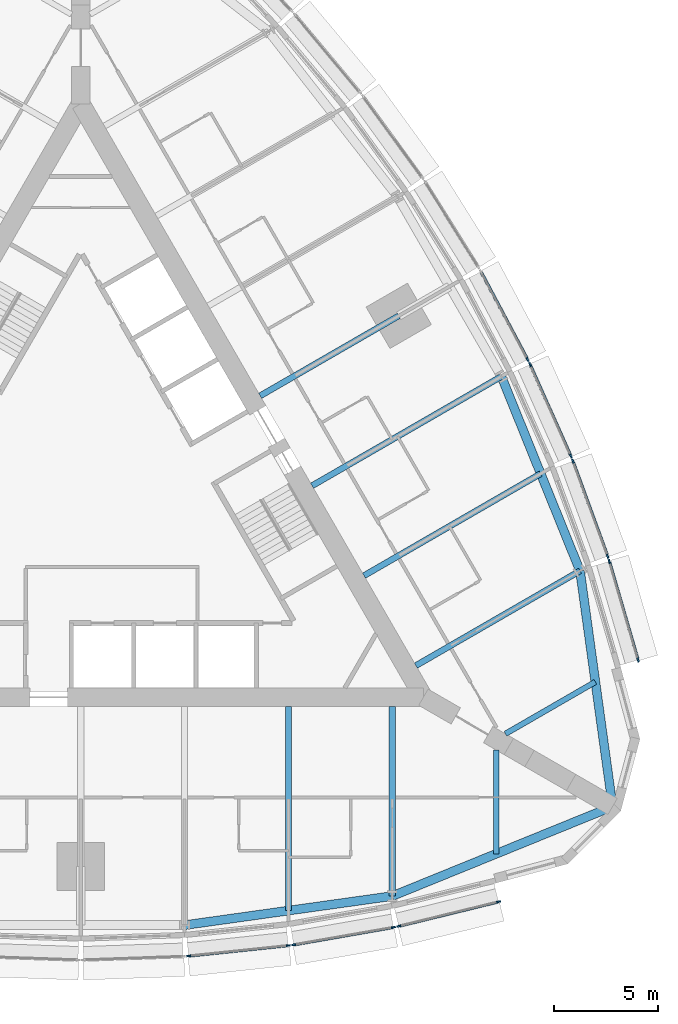
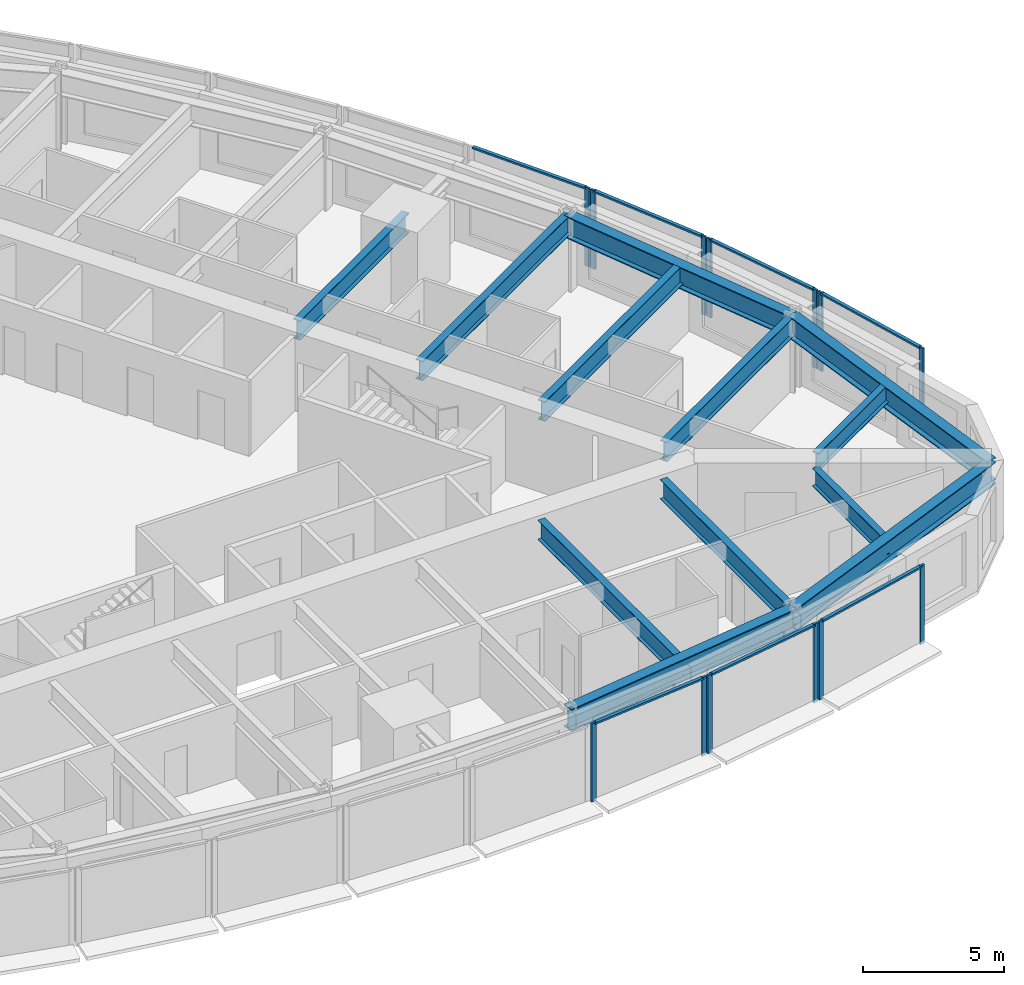
# One storey, part 3 of 14: 20 members, 12 beams, 7 elements without a shape of their own.
"""IFC4 building model written with IfcOpenShell, lengths in metres."""

from ifc_helpers import new_model, si_unit, direction, frame, origin, origin_2d, place, context, subcontext, project, spatial, rectangle, i_section, extrude, material, material_profile, profile_set, type_object, element, aggregate, save


model = new_model("IFC4")

# Units and contexts
model_context = context("Model", 3, precision=1e-05, world=origin(), true_north=direction((0.0, 1.0)))
body_context = subcontext(model_context, "Body", "Model", "MODEL_VIEW")
ifc_project = project(units=[si_unit("LENGTHUNIT", "METRE"), si_unit("AREAUNIT", "SQUARE_METRE"), si_unit("VOLUMEUNIT", "CUBIC_METRE"), si_unit("PLANEANGLEUNIT", "RADIAN"), si_unit("MASSUNIT", "GRAM", prefix="KILO")], contexts=[model_context])

# Site, building, storey
site_placement = place(None, origin())
site = spatial("IfcSite", under=ifc_project, at=site_placement, CompositionType="ELEMENT")
building_placement = place(site_placement, origin())
building = spatial("IfcBuilding", under=site, at=building_placement, Name="Trikona Tower", CompositionType="ELEMENT")
storey_placement = place(building_placement, frame((0.0, 0.0, 135.10009765625)))
storey = spatial("IfcBuildingStorey", under=building, at=storey_placement, Name="L35", CompositionType="ELEMENT", Elevation=135.10009765625)

# Curtain wall, members
ifc_material_1 = material(Name="Aluminium curtain wall system", Category="aluminium")
curtain_wall_type = type_object("IfcCurtainWallType", Name="Curtain wall DS2", PredefinedType="NOTDEFINED", material=ifc_material_1)
curtain_wall_1_placement = place(storey_placement, origin())
curtain_wall_1 = element("IfcCurtainWall", 1, at=curtain_wall_1_placement, inside=storey, type_object=curtain_wall_type, Name="Curtain wall DS2 L35", PredefinedType="NOTDEFINED")
ifc_material_2 = material(Name="Aluminium mullion, pale anodised", Category="aluminium")
ifc_material_profile_1 = material_profile(ifc_material_2, rectangle(XDim=0.080078125, YDim=0.199951171875, at=origin_2d()), Name="MUL-DS2")
ifc_profile_set_1 = profile_set([ifc_material_profile_1], Name="Aluminium mullion, pale anodised")
member_type_1 = type_object("IfcMemberType", Name="Mullion DS2 80x200", PredefinedType="MULLION", material=ifc_profile_set_1)
member_1_placement = place(storey_placement, frame((5.193359375, -21.98486328125, 0.0), z_axis=(0.0, 0.0, 1.0), x_axis=(-0.104433387357, 0.994531883654, 0.0)))
member_1 = element("IfcMember", 2, at=member_1_placement, type_object=member_type_1, Name="CW-DS2 mullion 1", PredefinedType="MULLION", context=body_context, shape_type="SweptSolid", body=[
    extrude(rectangle(XDim=0.080078125, YDim=0.199951171875, at=origin_2d()), origin(), (0.0, 0.0, 1.0), 3.39990234375),
])
member_2_placement = place(storey_placement, frame((9.99462890625, -21.480712890625, 0.0), z_axis=(0.0, 0.0, 1.0), x_axis=(-0.104433387357, 0.994531883654, 0.0)))
member_2 = element("IfcMember", 3, at=member_2_placement, type_object=member_type_1, Name="CW-DS2 mullion 2", PredefinedType="MULLION", context=body_context, shape_type="SweptSolid", body=[
    extrude(rectangle(XDim=0.080078125, YDim=0.199951171875, at=origin_2d()), origin(), (0.0, 0.0, 1.0), 3.39990234375),
])

curtain_wall_2_placement = place(storey_placement, origin())
curtain_wall_2 = element("IfcCurtainWall", 4, at=curtain_wall_2_placement, inside=storey, type_object=curtain_wall_type, Name="Curtain wall DS2 L35", PredefinedType="NOTDEFINED")
member_3_placement = place(storey_placement, frame((10.253662109375, -21.444580078125, 0.0), z_axis=(0.0, 0.0, 1.0), x_axis=(-0.17237739505, 0.985030981074, 0.0)))
member_3 = element("IfcMember", 5, at=member_3_placement, type_object=member_type_1, Name="CW-DS2 mullion 1", PredefinedType="MULLION", context=body_context, shape_type="SweptSolid", body=[
    extrude(rectangle(XDim=0.080078125, YDim=0.199951171875, at=origin_2d()), origin(), (0.0, 0.0, 1.0), 3.39990234375),
])
member_4_placement = place(storey_placement, frame((15.056640625, -20.60400390625, 0.0), z_axis=(0.0, 0.0, 1.0), x_axis=(-0.17237739505, 0.985030981074, 0.0)))
member_4 = element("IfcMember", 6, at=member_4_placement, type_object=member_type_1, Name="CW-DS2 mullion 2", PredefinedType="MULLION", context=body_context, shape_type="SweptSolid", body=[
    extrude(rectangle(XDim=0.080078125, YDim=0.199951171875, at=origin_2d()), origin(), (0.0, 0.0, 1.0), 3.39990234375),
])

curtain_wall_3_placement = place(storey_placement, origin())
curtain_wall_3 = element("IfcCurtainWall", 7, at=curtain_wall_3_placement, inside=storey, type_object=curtain_wall_type, Name="Curtain wall DS2 L35", PredefinedType="NOTDEFINED")
member_5_placement = place(storey_placement, frame((15.311279296875, -20.550537109375, 0.0), z_axis=(0.0, 0.0, 1.0), x_axis=(-0.237970204243, 0.971272455026, 0.0)))
member_5 = element("IfcMember", 8, at=member_5_placement, type_object=member_type_1, Name="CW-DS2 mullion 1", PredefinedType="MULLION", context=body_context, shape_type="SweptSolid", body=[
    extrude(rectangle(XDim=0.080078125, YDim=0.199951171875, at=origin_2d()), origin(), (0.0, 0.0, 1.0), 3.39990234375),
])
member_6_placement = place(storey_placement, frame((20.116943359375, -19.373046875, 0.0), z_axis=(0.0, 0.0, 1.0), x_axis=(-0.237970204243, 0.971272455026, 0.0)))
member_6 = element("IfcMember", 9, at=member_6_placement, type_object=member_type_1, Name="CW-DS2 mullion 2", PredefinedType="MULLION", context=body_context, shape_type="SweptSolid", body=[
    extrude(rectangle(XDim=0.080078125, YDim=0.199951171875, at=origin_2d()), origin(), (0.0, 0.0, 1.0), 3.39990234375),
])

curtain_wall_4_placement = place(storey_placement, origin())
curtain_wall_4 = element("IfcCurtainWall", 10, at=curtain_wall_4_placement, inside=storey, type_object=curtain_wall_type, Name="Curtain wall DS2 L35", PredefinedType="NOTDEFINED")
member_7_placement = place(storey_placement, frame((26.836181640625, -7.7353515625, 0.0), z_axis=(0.0, 0.0, 1.0), x_axis=(-0.96013310152, -0.279543247757, 0.0)))
member_7 = element("IfcMember", 11, at=member_7_placement, type_object=member_type_1, Name="CW-DS2 mullion 1", PredefinedType="MULLION", context=body_context, shape_type="SweptSolid", body=[
    extrude(rectangle(XDim=0.080078125, YDim=0.199951171875, at=origin_2d()), origin(), (0.0, 0.0, 1.0), 3.39990234375),
])
member_8_placement = place(storey_placement, frame((25.452880859375, -2.984619140625, 0.0), z_axis=(0.0, 0.0, 1.0), x_axis=(-0.96013310152, -0.279543247757, 0.0)))
member_8 = element("IfcMember", 12, at=member_8_placement, type_object=member_type_1, Name="CW-DS2 mullion 2", PredefinedType="MULLION", context=body_context, shape_type="SweptSolid", body=[
    extrude(rectangle(XDim=0.080078125, YDim=0.199951171875, at=origin_2d()), origin(), (0.0, 0.0, 1.0), 3.39990234375),
])

curtain_wall_5_placement = place(storey_placement, origin())
curtain_wall_5 = element("IfcCurtainWall", 13, at=curtain_wall_5_placement, inside=storey, type_object=curtain_wall_type, Name="Curtain wall DS2 L35", PredefinedType="NOTDEFINED")
member_9_placement = place(storey_placement, frame((25.371826171875, -2.737548828125, 0.0), z_axis=(0.0, 0.0, 1.0), x_axis=(-0.939253790978, -0.343223420143, 0.0)))
member_9 = element("IfcMember", 14, at=member_9_placement, type_object=member_type_1, Name="CW-DS2 mullion 1", PredefinedType="MULLION", context=body_context, shape_type="SweptSolid", body=[
    extrude(rectangle(XDim=0.080078125, YDim=0.199951171875, at=origin_2d()), origin(), (0.0, 0.0, 1.0), 3.39990234375),
])
member_10_placement = place(storey_placement, frame((23.6982421875, 1.84228515625, 0.0), z_axis=(0.0, 0.0, 1.0), x_axis=(-0.939253790978, -0.343223420143, 0.0)))
member_10 = element("IfcMember", 15, at=member_10_placement, type_object=member_type_1, Name="CW-DS2 mullion 2", PredefinedType="MULLION", context=body_context, shape_type="SweptSolid", body=[
    extrude(rectangle(XDim=0.080078125, YDim=0.199951171875, at=origin_2d()), origin(), (0.0, 0.0, 1.0), 3.39990234375),
])

curtain_wall_6_placement = place(storey_placement, origin())
curtain_wall_6 = element("IfcCurtainWall", 16, at=curtain_wall_6_placement, inside=storey, type_object=curtain_wall_type, Name="Curtain wall DS2 L35", PredefinedType="NOTDEFINED")
member_11_placement = place(storey_placement, frame((23.60009765625, 2.0849609375, 0.0), z_axis=(0.0, 0.0, 1.0), x_axis=(-0.913501208767, -0.406836013132, 0.0)))
member_11 = element("IfcMember", 17, at=member_11_placement, type_object=member_type_1, Name="CW-DS2 mullion 1", PredefinedType="MULLION", context=body_context, shape_type="SweptSolid", body=[
    extrude(rectangle(XDim=0.080078125, YDim=0.199951171875, at=origin_2d()), origin(), (0.0, 0.0, 1.0), 3.39990234375),
])
member_12_placement = place(storey_placement, frame((21.63623046875, 6.494873046875, 0.0), z_axis=(0.0, 0.0, 1.0), x_axis=(-0.913501208767, -0.406836013132, 0.0)))
member_12 = element("IfcMember", 18, at=member_12_placement, type_object=member_type_1, Name="CW-DS2 mullion 2", PredefinedType="MULLION", context=body_context, shape_type="SweptSolid", body=[
    extrude(rectangle(XDim=0.080078125, YDim=0.199951171875, at=origin_2d()), origin(), (0.0, 0.0, 1.0), 3.39990234375),
])

# Curtain wall, member
curtain_wall_7_placement = place(storey_placement, origin())
curtain_wall_7 = element("IfcCurtainWall", 19, at=curtain_wall_7_placement, inside=storey, type_object=curtain_wall_type, Name="Curtain wall DS2 L35", PredefinedType="NOTDEFINED")
member_13_placement = place(storey_placement, frame((21.52099609375, 6.730712890625, 0.0), z_axis=(0.0, 0.0, 1.0), x_axis=(-0.882996107343, -0.469380308937, 0.0)))
member_13 = element("IfcMember", 20, at=member_13_placement, type_object=member_type_1, Name="CW-DS2 mullion 1", PredefinedType="MULLION", context=body_context, shape_type="SweptSolid", body=[
    extrude(rectangle(XDim=0.080078125, YDim=0.199951171875, at=origin_2d()), origin(), (0.0, 0.0, 1.0), 3.39990234375),
])

# Beams
ifc_material_3 = material(Name="Steel ASTM A992 Grade 50", Category="steel")
ifc_material_profile_2 = material_profile(ifc_material_3, i_section(OverallWidth=0.2666015625, OverallDepth=0.76953125, WebThickness=0.015625, FlangeThickness=0.025390625, at=origin_2d()), Name="W30X132")
ifc_profile_set_2 = profile_set([ifc_material_profile_2], Name="Steel ASTM A992 Grade 50")
beam_type_1 = type_object("IfcBeamType", Name="Steel beam W30x132 (wedge)", PredefinedType="BEAM", material=ifc_profile_set_2)
beam_1_placement = place(storey_placement, frame((20.0, -12.066650390625, 2.85009765625), z_axis=(0.0, -1.0, 0.0), x_axis=(1.0, 0.0, 0.0)))
element("IfcBeam", 21, at=beam_1_placement, inside=storey, type_object=beam_type_1, Name="Floor beam L36 F1 u20", PredefinedType="BEAM", context=body_context, shape_type="SweptSolid", body=[
    extrude(i_section(OverallWidth=0.2666015625, OverallDepth=0.76953125, WebThickness=0.015625, FlangeThickness=0.025390625, at=origin_2d()), origin(), (0.0, 0.0, 1.0), 5.00048828125),
])
beam_2_placement = place(storey_placement, frame((20.449951171875, -11.287109375, 2.85009765625), z_axis=(0.866038434829, 0.49997742889, 0.0), x_axis=(-0.49997742889, 0.866038434829, 0.0)))
element("IfcBeam", 22, at=beam_2_placement, inside=storey, type_object=beam_type_1, Name="Floor beam L36 F2 u-20", PredefinedType="BEAM", context=body_context, shape_type="SweptSolid", body=[
    extrude(i_section(OverallWidth=0.2666015625, OverallDepth=0.76953125, WebThickness=0.015625, FlangeThickness=0.025390625, at=origin_2d()), origin(), (0.0, 0.0, 1.0), 5.000732421875),
])
ifc_material_4 = material(Name="Steel ASTM A992 Grade 50", Category="steel")
ifc_material_profile_3 = material_profile(ifc_material_4, i_section(OverallWidth=0.2919921875, OverallDepth=0.845703125, WebThickness=0.015380859375, FlangeThickness=0.0244140625, at=origin_2d()), Name="W33X141")
ifc_profile_set_3 = profile_set([ifc_material_profile_3], Name="Steel ASTM A992 Grade 50")
beam_type_2 = type_object("IfcBeamType", Name="Steel beam W33x141 (radial typ)", PredefinedType="BEAM", material=ifc_profile_set_3)
beam_3_placement = place(storey_placement, frame((10.0, -9.976318359375, 2.81201171875), z_axis=(0.0, -1.0, 0.0), x_axis=(1.0, 0.0, 0.0)))
element("IfcBeam", 23, at=beam_3_placement, inside=storey, type_object=beam_type_2, Name="Floor beam L36 F1 u10", PredefinedType="BEAM", context=body_context, shape_type="SweptSolid", body=[
    extrude(i_section(OverallWidth=0.2919921875, OverallDepth=0.845703125, WebThickness=0.015380859375, FlangeThickness=0.0244140625, at=origin_2d()), origin(), (0.0, 0.0, 1.0), 9.823974609375),
])
beam_4_placement = place(storey_placement, frame((15.0, -9.976318359375, 2.81201171875), z_axis=(0.0, -1.0, 0.0), x_axis=(1.0, 0.0, 0.0)))
element("IfcBeam", 24, at=beam_4_placement, inside=storey, type_object=beam_type_2, Name="Floor beam L36 F1 u15", PredefinedType="BEAM", context=body_context, shape_type="SweptSolid", body=[
    extrude(i_section(OverallWidth=0.2919921875, OverallDepth=0.845703125, WebThickness=0.015380859375, FlangeThickness=0.0244140625, at=origin_2d()), origin(), (0.0, 0.0, 1.0), 9.123779296875),
])
beam_5_placement = place(storey_placement, frame((16.1396484375, -8.002197265625, 2.81201171875), z_axis=(0.866024725532, 0.500001174766, 0.0), x_axis=(-0.500001174766, 0.866024725532, 0.0)))
element("IfcBeam", 25, at=beam_5_placement, inside=storey, type_object=beam_type_2, Name="Floor beam L36 F2 u-15", PredefinedType="BEAM", context=body_context, shape_type="SweptSolid", body=[
    extrude(i_section(OverallWidth=0.2919921875, OverallDepth=0.845703125, WebThickness=0.015380859375, FlangeThickness=0.0244140625, at=origin_2d()), origin(), (0.0, 0.0, 1.0), 9.1240234375),
])
beam_6_placement = place(storey_placement, frame((13.6396484375, -3.672119140625, 2.81201171875), z_axis=(0.866020046725, 0.500009278584, 0.0), x_axis=(-0.500009278584, 0.866020046725, 0.0)))
element("IfcBeam", 26, at=beam_6_placement, inside=storey, type_object=beam_type_2, Name="Floor beam L36 F2 u-10", PredefinedType="BEAM", context=body_context, shape_type="SweptSolid", body=[
    extrude(i_section(OverallWidth=0.2919921875, OverallDepth=0.845703125, WebThickness=0.015380859375, FlangeThickness=0.0244140625, at=origin_2d()), origin(), (0.0, 0.0, 1.0), 9.823974609375),
])
beam_7_placement = place(storey_placement, frame((11.1396484375, 0.657958984375, 2.81201171875), z_axis=(0.866026035623, 0.499998905622, 0.0), x_axis=(-0.499998905622, 0.866026035623, 0.0)))
element("IfcBeam", 27, at=beam_7_placement, inside=storey, type_object=beam_type_2, Name="Floor beam L36 F2 u-5", PredefinedType="BEAM", context=body_context, shape_type="SweptSolid", body=[
    extrude(i_section(OverallWidth=0.2919921875, OverallDepth=0.845703125, WebThickness=0.015380859375, FlangeThickness=0.0244140625, at=origin_2d()), origin(), (0.0, 0.0, 1.0), 10.52392578125),
])
beam_8_placement = place(storey_placement, frame((8.6396484375, 4.988037109375, 2.81201171875), z_axis=(0.866017246294, 0.500014128921, 0.0), x_axis=(-0.500014128921, 0.866017246294, 0.0)))
element("IfcBeam", 28, at=beam_8_placement, inside=storey, type_object=beam_type_2, Name="Floor beam L36 F2 u0", PredefinedType="BEAM", context=body_context, shape_type="SweptSolid", body=[
    extrude(i_section(OverallWidth=0.2919921875, OverallDepth=0.845703125, WebThickness=0.015380859375, FlangeThickness=0.0244140625, at=origin_2d()), origin(), (0.0, 0.0, 1.0), 7.704345703125),
])
ifc_material_5 = material(Name="Steel ASTM A992 Grade 50", Category="steel")
ifc_material_profile_4 = material_profile(ifc_material_5, i_section(OverallWidth=0.424072265625, OverallDepth=0.947509765625, WebThickness=0.02392578125, FlangeThickness=0.042724609375, at=origin_2d()), Name="W36X302")
ifc_profile_set_4 = profile_set([ifc_material_profile_4], Name="Steel ASTM A992 Grade 50")
beam_type_3 = type_object("IfcBeamType", Name="Steel beam W36x302 (spandrel)", PredefinedType="SPANDREL", material=ifc_profile_set_4)
beam_9_placement = place(storey_placement, frame((5.0, -20.500244140625, 2.76123046875), z_axis=(0.990339754644, 0.13866207258, 0.0), x_axis=(-0.13866207258, 0.990339754644, 0.0)))
element("IfcBeam", 29, at=beam_9_placement, inside=storey, type_object=beam_type_3, Name="Spandrel beam L36 F1-4", PredefinedType="SPANDREL", context=body_context, shape_type="SweptSolid", body=[
    extrude(i_section(OverallWidth=0.424072265625, OverallDepth=0.947509765625, WebThickness=0.02392578125, FlangeThickness=0.042724609375, at=origin_2d()), origin(), (0.0, 0.0, 1.0), 10.09765625),
])
for number, where, z_axis, x_axis, name in (
    (30, (15.0, -19.10009765625, 2.76123046875), (0.926359695662, 0.376640032728, 0.0), (-0.376640032728, 0.926359695662, 0.0), "Spandrel beam L36 F1-5"),
    (31, (25.6103515625, -14.7861328125, 2.76123046875), (-0.136991535842, 0.990572218017, 0.0), (-0.990572218017, -0.136991535842, 0.0), "Spandrel beam L36 F2-1"),
):
    element("IfcBeam", number, at=place(storey_placement, frame(where, z_axis=z_axis, x_axis=x_axis)), inside=storey, type_object=beam_type_3, Name=name, PredefinedType="SPANDREL", context=body_context, shape_type="SweptSolid", body=[
        extrude(i_section(OverallWidth=0.424072265625, OverallDepth=0.947509765625, WebThickness=0.02392578125, FlangeThickness=0.042724609375, at=origin_2d()), origin(), (0.0, 0.0, 1.0), 11.453857421875),
    ])
beam_10_placement = place(storey_placement, frame((24.041259765625, -3.440185546875, 2.76123046875), z_axis=(-0.375106193787, 0.926981846307, 0.0), x_axis=(-0.926981846307, -0.375106193787, 0.0)))
element("IfcBeam", 32, at=beam_10_placement, inside=storey, type_object=beam_type_3, Name="Spandrel beam L36 F2-2", PredefinedType="SPANDREL", context=body_context, shape_type="SweptSolid", body=[
    extrude(i_section(OverallWidth=0.424072265625, OverallDepth=0.947509765625, WebThickness=0.02392578125, FlangeThickness=0.042724609375, at=origin_2d()), origin(), (0.0, 0.0, 1.0), 10.097412109375),
])

# Member
ifc_material_6 = material(Name="Aluminium transom, pale anodised", Category="aluminium")
ifc_material_profile_5 = material_profile(ifc_material_6, rectangle(XDim=0.139892578125, YDim=0.080078125, at=origin_2d()), Name="TRN-DS2")
ifc_profile_set_5 = profile_set([ifc_material_profile_5], Name="Aluminium transom, pale anodised")
member_type_2 = type_object("IfcMemberType", Name="Transom DS2 80x140", PredefinedType="USERDEFINED", material=ifc_profile_set_5)
member_14_placement = place(storey_placement, frame((5.233154296875, -21.980712890625, 3.35986328125), z_axis=(0.99453106441, 0.104441188822, 0.0), x_axis=(-0.104441188822, 0.99453106441, 0.0)))
member_14 = element("IfcMember", 33, at=member_14_placement, type_object=member_type_2, Name="CW-DS2 transom 1.1", ObjectType="TRANSOM", PredefinedType="USERDEFINED", context=body_context, shape_type="SweptSolid", body=[
    extrude(rectangle(XDim=0.139892578125, YDim=0.080078125, at=origin_2d()), origin(), (0.0, 0.0, 1.0), 4.74755859375),
])

aggregate(curtain_wall_1, [member_1, member_2, member_14])

member_15_placement = place(storey_placement, frame((10.29296875, -21.4375, 3.35986328125), z_axis=(0.98503262804, 0.172367983387, 0.0), x_axis=(-0.172367983387, 0.98503262804, 0.0)))
member_15 = element("IfcMember", 34, at=member_15_placement, type_object=member_type_2, Name="CW-DS2 transom 1.1", ObjectType="TRANSOM", PredefinedType="USERDEFINED", context=body_context, shape_type="SweptSolid", body=[
    extrude(rectangle(XDim=0.139892578125, YDim=0.080078125, at=origin_2d()), origin(), (0.0, 0.0, 1.0), 4.7958984375),
])

aggregate(curtain_wall_2, [member_3, member_4, member_15])

member_16_placement = place(storey_placement, frame((15.35009765625, -20.541015625, 3.35986328125), z_axis=(0.971270583303, 0.237977843528, 0.0), x_axis=(-0.237977843528, 0.971270583303, 0.0)))
member_16 = element("IfcMember", 35, at=member_16_placement, type_object=member_type_2, Name="CW-DS2 transom 1.1", ObjectType="TRANSOM", PredefinedType="USERDEFINED", context=body_context, shape_type="SweptSolid", body=[
    extrude(rectangle(XDim=0.139892578125, YDim=0.080078125, at=origin_2d()), origin(), (0.0, 0.0, 1.0), 4.867919921875),
])

aggregate(curtain_wall_3, [member_5, member_6, member_16])

member_17_placement = place(storey_placement, frame((26.824951171875, -7.69677734375, 3.35986328125), z_axis=(-0.279566628153, 0.960126293996, 0.0), x_axis=(-0.960126293996, -0.279566628153, 0.0)))
member_17 = element("IfcMember", 36, at=member_17_placement, type_object=member_type_2, Name="CW-DS2 transom 1.1", ObjectType="TRANSOM", PredefinedType="USERDEFINED", context=body_context, shape_type="SweptSolid", body=[
    extrude(rectangle(XDim=0.139892578125, YDim=0.080078125, at=origin_2d()), origin(), (0.0, 0.0, 1.0), 4.86767578125),
])

aggregate(curtain_wall_4, [member_7, member_8, member_17])

member_18_placement = place(storey_placement, frame((25.358154296875, -2.699951171875, 3.35986328125), z_axis=(-0.343205907674, 0.939260190223, 0.0), x_axis=(-0.939260190223, -0.343205907674, 0.0)))
member_18 = element("IfcMember", 37, at=member_18_placement, type_object=member_type_2, Name="CW-DS2 transom 1.1", ObjectType="TRANSOM", PredefinedType="USERDEFINED", context=body_context, shape_type="SweptSolid", body=[
    extrude(rectangle(XDim=0.139892578125, YDim=0.080078125, at=origin_2d()), origin(), (0.0, 0.0, 1.0), 4.7958984375),
])

aggregate(curtain_wall_5, [member_9, member_10, member_18])

member_19_placement = place(storey_placement, frame((23.583740234375, 2.12158203125, 3.35986328125), z_axis=(-0.406839769607, 0.913499535778, 0.0), x_axis=(-0.913499535778, -0.406839769607, 0.0)))
member_19 = element("IfcMember", 38, at=member_19_placement, type_object=member_type_2, Name="CW-DS2 transom 1.1", ObjectType="TRANSOM", PredefinedType="USERDEFINED", context=body_context, shape_type="SweptSolid", body=[
    extrude(rectangle(XDim=0.139892578125, YDim=0.080078125, at=origin_2d()), origin(), (0.0, 0.0, 1.0), 4.747314453125),
])

aggregate(curtain_wall_6, [member_11, member_12, member_19])

member_20_placement = place(storey_placement, frame((21.502197265625, 6.76611328125, 3.35986328125), z_axis=(-0.469364343408, 0.883004594063, 0.0), x_axis=(-0.883004594063, -0.469364343408, 0.0)))
member_20 = element("IfcMember", 39, at=member_20_placement, type_object=member_type_2, Name="CW-DS2 transom 1.1", ObjectType="TRANSOM", PredefinedType="USERDEFINED", context=body_context, shape_type="SweptSolid", body=[
    extrude(rectangle(XDim=0.139892578125, YDim=0.080078125, at=origin_2d()), origin(), (0.0, 0.0, 1.0), 4.722900390625),
])

aggregate(curtain_wall_7, [member_13, member_20])

save(model, "model.ifc")
